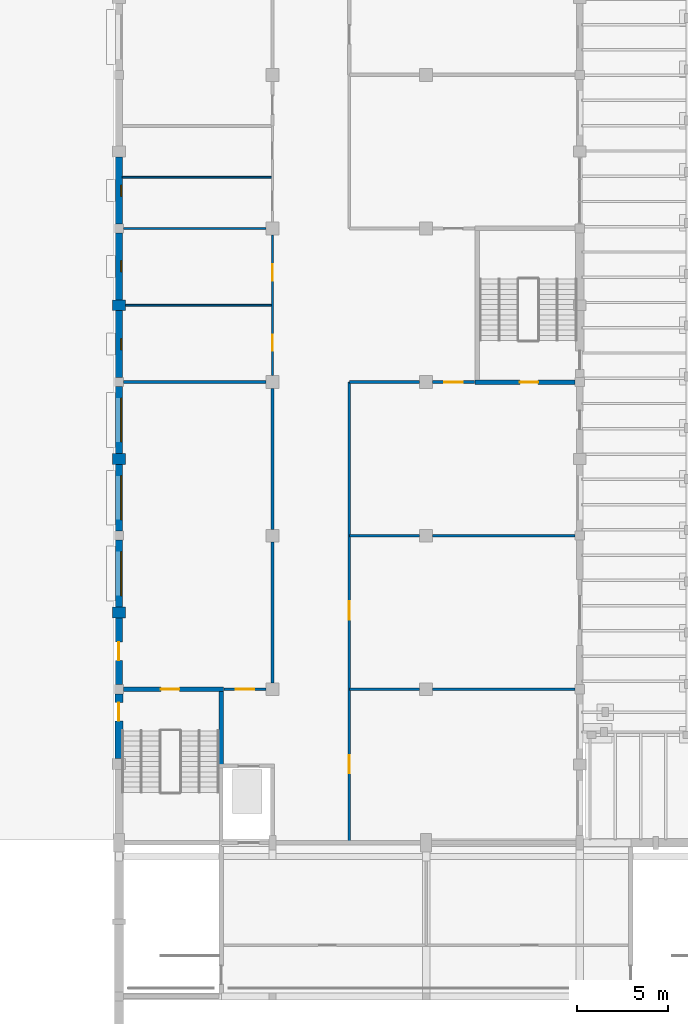
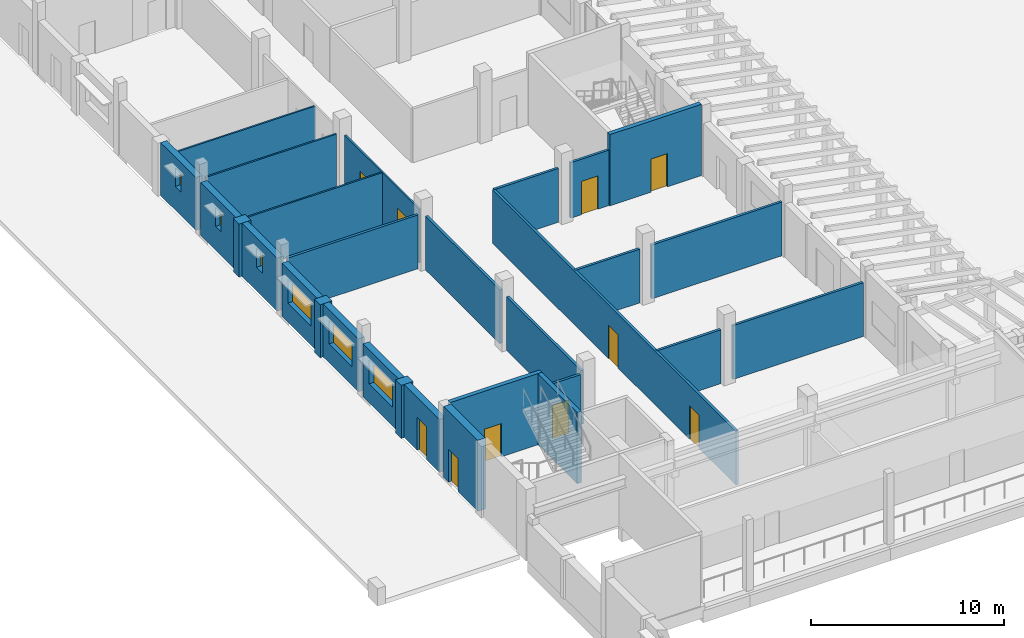
# One storey, part 40 of 60: 29 walls, 10 doors, 6 windows, 16 openings.
"""IFC4 building model written with IfcOpenShell, lengths in metres."""

from ifc_helpers import new_model, si_unit, direction, frame, frame_2d, origin, place, context, subcontext, project, spatial, rectangle, extrude, material, layer, layer_set, type_object, element, fill, save


model = new_model("IFC4")

# Units and contexts
model_context = context("Model", 3, precision=1e-05, world=origin(), true_north=direction((0.0, 1.0)))
body_context = subcontext(model_context, "Body", "Model", "MODEL_VIEW")
ifc_project = project(units=[si_unit("LENGTHUNIT", "METRE"), si_unit("AREAUNIT", "SQUARE_METRE"), si_unit("VOLUMEUNIT", "CUBIC_METRE"), si_unit("PLANEANGLEUNIT", "RADIAN"), si_unit("MASSUNIT", "GRAM", prefix="KILO")], contexts=[model_context])

# Site, building, storey
site_placement = place(None, origin())
site = spatial("IfcSite", under=ifc_project, at=site_placement, CompositionType="ELEMENT")
building_placement = place(site_placement, origin())
building = spatial("IfcBuilding", under=site, at=building_placement, Name="Fescue Hill Polytechnic", CompositionType="ELEMENT")
storey_placement = place(building_placement, frame((0.0, 0.0, 4.5)))
storey = spatial("IfcBuildingStorey", under=building, at=storey_placement, Name="L01", CompositionType="ELEMENT", Elevation=4.5)

# Wall, opening, door
ifc_material_1 = material(Name="Concrete 40 MPa", Category="concrete")
ifc_layer_1 = layer(ifc_material_1, 0.25)
ifc_layer_set_1 = layer_set([ifc_layer_1], Name="Concrete 40 MPa")
wall_type_1 = type_object("IfcWallType", Name="Core wall 250", PredefinedType="SHEAR", material=ifc_layer_set_1)
wall_1_placement = place(storey_placement, frame((0.25, 58.800048828125, 0.0), z_axis=(0.0, 0.0, 1.0), x_axis=(1.0, 0.0, 0.0)))
wall_1 = element("IfcWall", 1, at=wall_1_placement, inside=storey, type_object=wall_type_1, Name="CW-L01-ST-V4-1-21", PredefinedType="SHEAR", context=body_context, shape_type="SweptSolid", body=[
    extrude(rectangle(XDim=5.47509765625, YDim=0.25, at=frame_2d((2.737548828125, 0.0))), origin(), (0.0, 0.0, 1.0), 4.5),
])
opening_1_placement = place(wall_1_placement, frame((2.050048828125, 0.0, 0.0)))
opening_1 = element("IfcOpeningElement", 2, at=opening_1_placement, cuts=wall_1, Name="Opening D1092", PredefinedType="OPENING", context=body_context, shape_type="SweptSolid", body=[
    extrude(rectangle(XDim=1.0, YDim=2.10009765625, at=frame_2d((0.5, 1.050048828125))), frame((0.0, 0.135009765625, 0.0), z_axis=(0.0, -1.0, 0.0), x_axis=(1.0, 0.0, 0.0)), (0.0, 0.0, 1.0), 0.27001953125),
])
ifc_material_2 = material(Name="Steel fire door", Category="steel")
door_type_1 = type_object("IfcDoorType", Name="Door single swing 1000x2100 stair fire rated", OperationType="NOTDEFINED", PredefinedType="DOOR", material=ifc_material_2)
door_1_placement = place(opening_1_placement, origin())
door_1 = element("IfcDoor", 3, at=door_1_placement, inside=storey, type_object=door_type_1, Name="L01 ST-V4-1 stair door", OperationType="SINGLE_SWING_RIGHT", OverallHeight=2.10009765625, OverallWidth=1.0, PredefinedType="DOOR", context=body_context, shape_type="SweptSolid", body=[
    extrude(rectangle(XDim=1.0, YDim=2.10009765625, at=frame_2d((0.5, 1.050048828125))), frame((0.0, 0.02490234375, 0.0), z_axis=(0.0, -1.0, 0.0), x_axis=(1.0, 0.0, 0.0)), (0.0, 0.0, 1.0), 0.050048828125),
])
fill(opening_1, door_1)

# Wall
wall_2_placement = place(storey_placement, frame((5.60009765625, 54.610107421875, 0.0), z_axis=(0.0, 0.0, 1.0), x_axis=(0.0, 1.0, 0.0)))
element("IfcWall", 4, at=wall_2_placement, inside=storey, type_object=wall_type_1, Name="CW-L01-ST-V4-1-41", PredefinedType="SHEAR", context=body_context, shape_type="SweptSolid", body=[
    extrude(rectangle(XDim=4.06494140625, YDim=0.25, at=frame_2d((2.032470703125, 0.0))), origin(), (0.0, 0.0, 1.0), 4.5),
])

# Wall, opening, door
wall_3_placement = place(storey_placement, frame((19.47509765625, 75.60009765625, 0.0), z_axis=(0.0, 0.0, 1.0), x_axis=(1.0, 0.0, 0.0)))
wall_3 = element("IfcWall", 5, at=wall_3_placement, inside=storey, type_object=wall_type_1, Name="CW-L01-ST-V4-3-11", PredefinedType="SHEAR", context=body_context, shape_type="SweptSolid", body=[
    extrude(rectangle(XDim=5.474853515625, YDim=0.25, at=frame_2d((2.7373046875, 0.0))), origin(), (0.0, 0.0, 1.0), 4.5),
])
opening_2_placement = place(wall_3_placement, frame((2.449951171875, 0.0, 0.0)))
opening_2 = element("IfcOpeningElement", 6, at=opening_2_placement, cuts=wall_3, Name="Opening D1096", PredefinedType="OPENING", context=body_context, shape_type="SweptSolid", body=[
    extrude(rectangle(XDim=1.0, YDim=2.10009765625, at=frame_2d((0.5, 1.050048828125))), frame((0.0, 0.135009765625, 0.0), z_axis=(0.0, -1.0, 0.0), x_axis=(1.0, 0.0, 0.0)), (0.0, 0.0, 1.0), 0.27001953125),
])
door_2_placement = place(opening_2_placement, origin())
door_2 = element("IfcDoor", 7, at=door_2_placement, inside=storey, type_object=door_type_1, Name="L01 ST-V4-3 stair door", OperationType="SINGLE_SWING_RIGHT", OverallHeight=2.10009765625, OverallWidth=1.0, PredefinedType="DOOR", context=body_context, shape_type="SweptSolid", body=[
    extrude(rectangle(XDim=1.0, YDim=2.10009765625, at=frame_2d((0.5, 1.050048828125))), frame((0.0, 0.02490234375, 0.0), z_axis=(0.0, -1.0, 0.0), x_axis=(1.0, 0.0, 0.0)), (0.0, 0.0, 1.0), 0.050048828125),
])
fill(opening_2, door_2)

ifc_layer_2 = layer(ifc_material_1, 0.449951171875)
ifc_layer_set_2 = layer_set([ifc_layer_2], Name="Concrete 40 MPa")
wall_type_2 = type_object("IfcWallType", Name="Exterior wall board-marked concrete 450 load-bearing", PredefinedType="SOLIDWALL", material=ifc_layer_set_2)
wall_4_placement = place(storey_placement, frame((0.0, 58.550048828125, 0.0), z_axis=(0.0, 0.0, 1.0), x_axis=(0.0, -1.0, 0.0)))
wall_4 = element("IfcWall", 8, at=wall_4_placement, inside=storey, type_object=wall_type_2, Name="EW-L01-V4-28", PredefinedType="SOLIDWALL", context=body_context, shape_type="SweptSolid", body=[
    extrude(rectangle(XDim=3.525146484375, YDim=0.449951171875, at=frame_2d((1.7626953125, 0.0))), origin(), (0.0, 0.0, 1.0), 4.5),
])
opening_3_placement = place(wall_4_placement, frame((1.47509765625, 0.0, 0.0), z_axis=(0.0, 0.0, 1.0), x_axis=(-1.0, 0.0, 0.0)))
opening_3 = element("IfcOpeningElement", 9, at=opening_3_placement, cuts=wall_4, Name="Opening D1093", PredefinedType="OPENING", context=body_context, shape_type="SweptSolid", body=[
    extrude(rectangle(XDim=1.0, YDim=2.10009765625, at=frame_2d((0.5, 1.050048828125))), frame((0.0, 0.23486328125, 0.0), z_axis=(0.0, -1.0, 0.0), x_axis=(1.0, 0.0, 0.0)), (0.0, 0.0, 1.0), 0.469970703125),
])
ifc_material_3 = material(Name="Hollow metal")
door_type_2 = type_object("IfcDoorType", Name="Door exit single 1000x2100 fire rated", OperationType="SINGLE_SWING_LEFT", PredefinedType="DOOR", material=ifc_material_3)
door_3_placement = place(opening_3_placement, origin())
door_3 = element("IfcDoor", 10, at=door_3_placement, inside=storey, type_object=door_type_2, Name="Door D1093", OperationType="SINGLE_SWING_LEFT", OverallHeight=2.10009765625, OverallWidth=1.0, PredefinedType="DOOR", context=body_context, shape_type="SweptSolid", body=[
    extrude(rectangle(XDim=1.0, YDim=2.10009765625, at=frame_2d((0.5, 1.050048828125))), frame((0.0, 0.02490234375, 0.0), z_axis=(0.0, -1.0, 0.0), x_axis=(1.0, 0.0, 0.0)), (0.0, 0.0, 1.0), 0.050048828125),
])
fill(opening_3, door_3)

# Wall, opening, window
ifc_material_4 = material(Name="Terracotta rainscreen on concrete block", Category="masonry")
ifc_layer_3 = layer(ifc_material_4, 0.3798828125)
ifc_layer_set_3 = layer_set([ifc_layer_3], Name="Terracotta rainscreen on concrete block")
wall_type_3 = type_object("IfcWallType", Name="Exterior wall rainscreen terracotta on blockwork 380", PredefinedType="SOLIDWALL", material=ifc_layer_set_3)
wall_5_placement = place(storey_placement, frame((0.0, 87.89990234375, 0.0), z_axis=(0.0, 0.0, 1.0), x_axis=(0.0, -1.0, 0.0)))
wall_5 = element("IfcWall", 11, at=wall_5_placement, inside=storey, type_object=wall_type_3, Name="EW-L01-V4-21", PredefinedType="SOLIDWALL", context=body_context, shape_type="SweptSolid", body=[
    extrude(rectangle(XDim=3.64990234375, YDim=0.3798828125, at=frame_2d((1.824951171875, 0.0))), origin(), (0.0, 0.0, 1.0), 3.35009765625),
])
opening_4_placement = place(wall_5_placement, frame((1.52490234375, 0.0, 1.5)))
opening_4 = element("IfcOpeningElement", 12, at=opening_4_placement, cuts=wall_5, Name="Opening W11", PredefinedType="OPENING", context=body_context, shape_type="SweptSolid", body=[
    extrude(rectangle(XDim=0.60009765625, YDim=1.199951171875, at=frame_2d((0.300048828125, 0.60009765625))), frame((0.0, 0.199951171875, 0.0), z_axis=(0.0, -1.0, 0.0), x_axis=(1.0, 0.0, 0.0)), (0.0, 0.0, 1.0), 0.39990234375),
])
ifc_material_5 = material(Name="Powder-coated aluminium and glass", Category="aluminium")
window_type_1 = type_object("IfcWindowType", Name="Window WC high-level 600x1200", PartitioningType="SINGLE_PANEL", PredefinedType="WINDOW", material=ifc_material_5)
window_1_placement = place(opening_4_placement, origin())
window_1 = element("IfcWindow", 13, at=window_1_placement, inside=storey, type_object=window_type_1, Name="WN-L01-V4-10", OverallHeight=1.199951171875, OverallWidth=0.60009765625, PartitioningType="SINGLE_PANEL", PredefinedType="WINDOW", context=body_context, shape_type="SweptSolid", body=[
    extrude(rectangle(XDim=0.60009765625, YDim=1.199951171875, at=frame_2d((0.300048828125, 0.60009765625))), frame((0.0, 0.150146484375, 0.0), z_axis=(0.0, -1.0, 0.0), x_axis=(1.0, 0.0, 0.0)), (0.0, 0.0, 1.0), 0.06005859375),
])
fill(opening_4, window_1)

wall_6_placement = place(storey_placement, frame((0.0, 83.75, 0.0), z_axis=(0.0, 0.0, 1.0), x_axis=(0.0, -1.0, 0.0)))
wall_6 = element("IfcWall", 14, at=wall_6_placement, inside=storey, type_object=wall_type_3, Name="EW-L01-V4-22", PredefinedType="SOLIDWALL", context=body_context, shape_type="SweptSolid", body=[
    extrude(rectangle(XDim=3.64990234375, YDim=0.3798828125, at=frame_2d((1.824951171875, 0.0))), origin(), (0.0, 0.0, 1.0), 3.35009765625),
])
opening_5_placement = place(wall_6_placement, frame((1.52490234375, 0.0, 1.5)))
opening_5 = element("IfcOpeningElement", 15, at=opening_5_placement, cuts=wall_6, Name="Opening W11", PredefinedType="OPENING", context=body_context, shape_type="SweptSolid", body=[
    extrude(rectangle(XDim=0.60009765625, YDim=1.199951171875, at=frame_2d((0.300048828125, 0.60009765625))), frame((0.0, 0.199951171875, 0.0), z_axis=(0.0, -1.0, 0.0), x_axis=(1.0, 0.0, 0.0)), (0.0, 0.0, 1.0), 0.39990234375),
])
window_2_placement = place(opening_5_placement, origin())
window_2 = element("IfcWindow", 16, at=window_2_placement, inside=storey, type_object=window_type_1, Name="WN-L01-V4-11", OverallHeight=1.199951171875, OverallWidth=0.60009765625, PartitioningType="SINGLE_PANEL", PredefinedType="WINDOW", context=body_context, shape_type="SweptSolid", body=[
    extrude(rectangle(XDim=0.60009765625, YDim=1.199951171875, at=frame_2d((0.300048828125, 0.60009765625))), frame((0.0, 0.150146484375, 0.0), z_axis=(0.0, -1.0, 0.0), x_axis=(1.0, 0.0, 0.0)), (0.0, 0.0, 1.0), 0.06005859375),
])
fill(opening_5, window_2)

wall_7_placement = place(storey_placement, frame((0.0, 79.5, 0.0), z_axis=(0.0, 0.0, 1.0), x_axis=(0.0, -1.0, 0.0)))
wall_7 = element("IfcWall", 17, at=wall_7_placement, inside=storey, type_object=wall_type_3, Name="EW-L01-V4-23", PredefinedType="SOLIDWALL", context=body_context, shape_type="SweptSolid", body=[
    extrude(rectangle(XDim=3.64990234375, YDim=0.3798828125, at=frame_2d((1.824951171875, 0.0))), origin(), (0.0, 0.0, 1.0), 3.35009765625),
])
opening_6_placement = place(wall_7_placement, frame((1.52490234375, 0.0, 1.5)))
opening_6 = element("IfcOpeningElement", 18, at=opening_6_placement, cuts=wall_7, Name="Opening W11", PredefinedType="OPENING", context=body_context, shape_type="SweptSolid", body=[
    extrude(rectangle(XDim=0.60009765625, YDim=1.199951171875, at=frame_2d((0.300048828125, 0.60009765625))), frame((0.0, 0.199951171875, 0.0), z_axis=(0.0, -1.0, 0.0), x_axis=(1.0, 0.0, 0.0)), (0.0, 0.0, 1.0), 0.39990234375),
])
window_3_placement = place(opening_6_placement, origin())
window_3 = element("IfcWindow", 19, at=window_3_placement, inside=storey, type_object=window_type_1, Name="WN-L01-V4-12", OverallHeight=1.199951171875, OverallWidth=0.60009765625, PartitioningType="SINGLE_PANEL", PredefinedType="WINDOW", context=body_context, shape_type="SweptSolid", body=[
    extrude(rectangle(XDim=0.60009765625, YDim=1.199951171875, at=frame_2d((0.300048828125, 0.60009765625))), frame((0.0, 0.150146484375, 0.0), z_axis=(0.0, -1.0, 0.0), x_axis=(1.0, 0.0, 0.0)), (0.0, 0.0, 1.0), 0.06005859375),
])
fill(opening_6, window_3)

wall_8_placement = place(storey_placement, frame((0.0, 75.35009765625, 0.0), z_axis=(0.0, 0.0, 1.0), x_axis=(0.0, -1.0, 0.0)))
wall_8 = element("IfcWall", 20, at=wall_8_placement, inside=storey, type_object=wall_type_3, Name="EW-L01-V4-24", PredefinedType="SOLIDWALL", context=body_context, shape_type="SweptSolid", body=[
    extrude(rectangle(XDim=3.650146484375, YDim=0.3798828125, at=frame_2d((1.8251953125, 0.0))), origin(), (0.0, 0.0, 1.0), 3.35009765625),
])
opening_7_placement = place(wall_8_placement, frame((0.625, 0.0, 1.199951171875)))
opening_7 = element("IfcOpeningElement", 21, at=opening_7_placement, cuts=wall_8, Name="Opening W3", PredefinedType="OPENING", context=body_context, shape_type="SweptSolid", body=[
    extrude(rectangle(XDim=2.39990234375, YDim=1.5, at=frame_2d((1.199951171875, 0.75))), frame((0.0, 0.199951171875, 0.0), z_axis=(0.0, -1.0, 0.0), x_axis=(1.0, 0.0, 0.0)), (0.0, 0.0, 1.0), 0.39990234375),
])
window_type_2 = type_object("IfcWindowType", Name="Window laboratory strip 2400x1500", PartitioningType="TRIPLE_PANEL_VERTICAL", PredefinedType="WINDOW", material=ifc_material_5)
window_4_placement = place(opening_7_placement, origin())
window_4 = element("IfcWindow", 22, at=window_4_placement, inside=storey, type_object=window_type_2, Name="WN-L01-V4-13", OverallHeight=1.5, OverallWidth=2.39990234375, PartitioningType="SINGLE_PANEL", PredefinedType="WINDOW", context=body_context, shape_type="SweptSolid", body=[
    extrude(rectangle(XDim=2.39990234375, YDim=1.5, at=frame_2d((1.199951171875, 0.75))), frame((0.0, 0.150146484375, 0.0), z_axis=(0.0, -1.0, 0.0), x_axis=(1.0, 0.0, 0.0)), (0.0, 0.0, 1.0), 0.06005859375),
])
fill(opening_7, window_4)

wall_9_placement = place(storey_placement, frame((0.0, 71.10009765625, 0.0), z_axis=(0.0, 0.0, 1.0), x_axis=(0.0, -1.0, 0.0)))
wall_9 = element("IfcWall", 23, at=wall_9_placement, inside=storey, type_object=wall_type_3, Name="EW-L01-V4-25", PredefinedType="SOLIDWALL", context=body_context, shape_type="SweptSolid", body=[
    extrude(rectangle(XDim=3.650146484375, YDim=0.3798828125, at=frame_2d((1.8251953125, 0.0))), origin(), (0.0, 0.0, 1.0), 3.35009765625),
])
opening_8_placement = place(wall_9_placement, frame((0.625, 0.0, 1.199951171875)))
opening_8 = element("IfcOpeningElement", 24, at=opening_8_placement, cuts=wall_9, Name="Opening W3", PredefinedType="OPENING", context=body_context, shape_type="SweptSolid", body=[
    extrude(rectangle(XDim=2.39990234375, YDim=1.5, at=frame_2d((1.199951171875, 0.75))), frame((0.0, 0.199951171875, 0.0), z_axis=(0.0, -1.0, 0.0), x_axis=(1.0, 0.0, 0.0)), (0.0, 0.0, 1.0), 0.39990234375),
])
window_5_placement = place(opening_8_placement, origin())
window_5 = element("IfcWindow", 25, at=window_5_placement, inside=storey, type_object=window_type_2, Name="WN-L01-V4-14", OverallHeight=1.5, OverallWidth=2.39990234375, PartitioningType="SINGLE_PANEL", PredefinedType="WINDOW", context=body_context, shape_type="SweptSolid", body=[
    extrude(rectangle(XDim=2.39990234375, YDim=1.5, at=frame_2d((1.199951171875, 0.75))), frame((0.0, 0.150146484375, 0.0), z_axis=(0.0, -1.0, 0.0), x_axis=(1.0, 0.0, 0.0)), (0.0, 0.0, 1.0), 0.06005859375),
])
fill(opening_8, window_5)

wall_10_placement = place(storey_placement, frame((0.0, 66.949951171875, 0.0), z_axis=(0.0, 0.0, 1.0), x_axis=(0.0, -1.0, 0.0)))
wall_10 = element("IfcWall", 26, at=wall_10_placement, inside=storey, type_object=wall_type_3, Name="EW-L01-V4-26", PredefinedType="SOLIDWALL", context=body_context, shape_type="SweptSolid", body=[
    extrude(rectangle(XDim=3.64990234375, YDim=0.3798828125, at=frame_2d((1.824951171875, 0.0))), origin(), (0.0, 0.0, 1.0), 3.35009765625),
])
opening_9_placement = place(wall_10_placement, frame((0.625, 0.0, 1.199951171875)))
opening_9 = element("IfcOpeningElement", 27, at=opening_9_placement, cuts=wall_10, Name="Opening W3", PredefinedType="OPENING", context=body_context, shape_type="SweptSolid", body=[
    extrude(rectangle(XDim=2.39990234375, YDim=1.5, at=frame_2d((1.199951171875, 0.75))), frame((0.0, 0.199951171875, 0.0), z_axis=(0.0, -1.0, 0.0), x_axis=(1.0, 0.0, 0.0)), (0.0, 0.0, 1.0), 0.39990234375),
])
window_6_placement = place(opening_9_placement, origin())
window_6 = element("IfcWindow", 28, at=window_6_placement, inside=storey, type_object=window_type_2, Name="WN-L01-V4-15", OverallHeight=1.5, OverallWidth=2.39990234375, PartitioningType="SINGLE_PANEL", PredefinedType="WINDOW", context=body_context, shape_type="SweptSolid", body=[
    extrude(rectangle(XDim=2.39990234375, YDim=1.5, at=frame_2d((1.199951171875, 0.75))), frame((0.0, 0.150146484375, 0.0), z_axis=(0.0, -1.0, 0.0), x_axis=(1.0, 0.0, 0.0)), (0.0, 0.0, 1.0), 0.06005859375),
])
fill(opening_9, window_6)

# Wall, opening, door
wall_11_placement = place(storey_placement, frame((0.0, 62.699951171875, 0.0), z_axis=(0.0, 0.0, 1.0), x_axis=(0.0, -1.0, 0.0)))
wall_11 = element("IfcWall", 29, at=wall_11_placement, inside=storey, type_object=wall_type_3, Name="EW-L01-V4-27", PredefinedType="SOLIDWALL", context=body_context, shape_type="SweptSolid", body=[
    extrude(rectangle(XDim=3.64990234375, YDim=0.3798828125, at=frame_2d((1.824951171875, 0.0))), origin(), (0.0, 0.0, 1.0), 3.35009765625),
])
opening_10_placement = place(wall_11_placement, frame((1.324951171875, 0.0, 0.0)))
opening_10 = element("IfcOpeningElement", 30, at=opening_10_placement, cuts=wall_11, Name="Opening D1009", PredefinedType="OPENING", context=body_context, shape_type="SweptSolid", body=[
    extrude(rectangle(XDim=1.0, YDim=2.10009765625, at=frame_2d((0.5, 1.050048828125))), frame((0.0, 0.199951171875, 0.0), z_axis=(0.0, -1.0, 0.0), x_axis=(1.0, 0.0, 0.0)), (0.0, 0.0, 1.0), 0.39990234375),
])
door_4_placement = place(opening_10_placement, origin())
door_4 = element("IfcDoor", 31, at=door_4_placement, inside=storey, type_object=door_type_2, Name="Door D1009", OperationType="SINGLE_SWING_LEFT", OverallHeight=2.10009765625, OverallWidth=1.0, PredefinedType="DOOR", context=body_context, shape_type="SweptSolid", body=[
    extrude(rectangle(XDim=1.0, YDim=2.10009765625, at=frame_2d((0.5, 1.050048828125))), frame((0.0, 0.02490234375, 0.0), z_axis=(0.0, -1.0, 0.0), x_axis=(1.0, 0.0, 0.0)), (0.0, 0.0, 1.0), 0.050048828125),
])
fill(opening_10, door_4)

# Walls
ifc_layer_4 = layer(ifc_material_1, 0.699951171875)
ifc_layer_set_4 = layer_set([ifc_layer_4], Name="Concrete 40 MPa")
wall_type_4 = type_object("IfcWallType", Name="Fin wall board-marked 600x700", PredefinedType="SOLIDWALL", material=ifc_layer_set_4)
wall_12_placement = place(storey_placement, frame((0.0, 80.10009765625, 0.0), z_axis=(0.0, 0.0, 1.0), x_axis=(0.0, -1.0, 0.0)))
element("IfcWall", 32, at=wall_12_placement, inside=storey, type_object=wall_type_4, Name="PR-L01-V4-10", PredefinedType="SOLIDWALL", context=body_context, shape_type="SweptSolid", body=[
    extrude(rectangle(XDim=0.60009765625, YDim=0.699951171875, at=frame_2d((0.300048828125, 0.0))), origin(), (0.0, 0.0, 1.0), 3.35009765625),
])
wall_13_placement = place(storey_placement, frame((0.0, 71.699951171875, 0.0), z_axis=(0.0, 0.0, 1.0), x_axis=(0.0, -1.0, 0.0)))
element("IfcWall", 33, at=wall_13_placement, inside=storey, type_object=wall_type_4, Name="PR-L01-V4-11", PredefinedType="SOLIDWALL", context=body_context, shape_type="SweptSolid", body=[
    extrude(rectangle(XDim=0.599853515625, YDim=0.699951171875, at=frame_2d((0.2998046875, 0.0))), origin(), (0.0, 0.0, 1.0), 3.35009765625),
])
wall_14_placement = place(storey_placement, frame((0.0, 63.300048828125, 0.0), z_axis=(0.0, 0.0, 1.0), x_axis=(0.0, -1.0, 0.0)))
element("IfcWall", 34, at=wall_14_placement, inside=storey, type_object=wall_type_4, Name="PR-L01-V4-12", PredefinedType="SOLIDWALL", context=body_context, shape_type="SweptSolid", body=[
    extrude(rectangle(XDim=0.60009765625, YDim=0.699951171875, at=frame_2d((0.300048828125, 0.0))), origin(), (0.0, 0.0, 1.0), 3.35009765625),
])
ifc_material_6 = material(Name="Concrete masonry block 15 MPa", Category="masonry")
ifc_layer_5 = layer(ifc_material_6, 0.14990234375)
ifc_layer_set_5 = layer_set([ifc_layer_5], Name="Concrete masonry block 15 MPa")
wall_type_5 = type_object("IfcWallType", Name="Laboratory wall 150 block EI 60", PredefinedType="PARTITIONING", material=ifc_layer_set_5)
wall_15_placement = place(storey_placement, frame((12.60009765625, 58.800048828125, 0.0), z_axis=(0.0, 0.0, 1.0), x_axis=(1.0, 0.0, 0.0)))
element("IfcWall", 35, at=wall_15_placement, inside=storey, type_object=wall_type_5, Name="IW-L01-039", PredefinedType="PARTITIONING", context=body_context, shape_type="SweptSolid", body=[
    extrude(rectangle(XDim=3.849853515625, YDim=0.14990234375, at=frame_2d((1.9248046875, 0.0))), origin(), (0.0, 0.0, 1.0), 3.39990234375),
])
wall_16_placement = place(storey_placement, frame((17.14990234375, 58.800048828125, 0.0), z_axis=(0.0, 0.0, 1.0), x_axis=(1.0, 0.0, 0.0)))
element("IfcWall", 36, at=wall_16_placement, inside=storey, type_object=wall_type_5, Name="IW-L01-040", PredefinedType="PARTITIONING", context=body_context, shape_type="SweptSolid", body=[
    extrude(rectangle(XDim=7.800048828125, YDim=0.14990234375, at=frame_2d((3.89990234375, 0.0))), origin(), (0.0, 0.0, 1.0), 3.39990234375),
])
wall_17_placement = place(storey_placement, frame((12.60009765625, 67.199951171875, 0.0), z_axis=(0.0, 0.0, 1.0), x_axis=(1.0, 0.0, 0.0)))
element("IfcWall", 37, at=wall_17_placement, inside=storey, type_object=wall_type_5, Name="IW-L01-042", PredefinedType="PARTITIONING", context=body_context, shape_type="SweptSolid", body=[
    extrude(rectangle(XDim=3.849853515625, YDim=0.14990234375, at=frame_2d((1.9248046875, 0.0))), origin(), (0.0, 0.0, 1.0), 3.39990234375),
])
for number, where, z_axis, x_axis, name in (
    (38, (17.14990234375, 67.199951171875, 0.0), (0.0, 0.0, 1.0), (1.0, 0.0, 0.0), "IW-L01-043"),
    (39, (0.25, 75.60009765625, 0.0), (0.0, 0.0, 1.0), (1.0, 0.0, 0.0), "IW-L01-044"),
):
    element("IfcWall", number, at=place(storey_placement, frame(where, z_axis=z_axis, x_axis=x_axis)), inside=storey, type_object=wall_type_5, Name=name, PredefinedType="PARTITIONING", context=body_context, shape_type="SweptSolid", body=[
        extrude(rectangle(XDim=7.800048828125, YDim=0.14990234375, at=frame_2d((3.89990234375, 0.0))), origin(), (0.0, 0.0, 1.0), 3.39990234375),
    ])
wall_18_placement = place(storey_placement, frame((8.39990234375, 59.14990234375, 0.0), z_axis=(0.0, 0.0, 1.0), x_axis=(0.0, 1.0, 0.0)))
element("IfcWall", 40, at=wall_18_placement, inside=storey, type_object=wall_type_5, Name="IW-L01-065", PredefinedType="PARTITIONING", context=body_context, shape_type="SweptSolid", body=[
    extrude(rectangle(XDim=7.7001953125, YDim=0.14990234375, at=frame_2d((3.85009765625, 0.0))), origin(), (0.0, 0.0, 1.0), 3.39990234375),
])
wall_19_placement = place(storey_placement, frame((8.39990234375, 67.550048828125, 0.0), z_axis=(0.0, 0.0, 1.0), x_axis=(0.0, 1.0, 0.0)))
element("IfcWall", 41, at=wall_19_placement, inside=storey, type_object=wall_type_5, Name="IW-L01-066", PredefinedType="PARTITIONING", context=body_context, shape_type="SweptSolid", body=[
    extrude(rectangle(XDim=7.699951171875, YDim=0.14990234375, at=frame_2d((3.85009765625, 0.0))), origin(), (0.0, 0.0, 1.0), 3.39990234375),
])

# Wall, openings, doors
wall_20_placement = place(storey_placement, frame((12.60009765625, 50.39990234375, 0.0), z_axis=(0.0, 0.0, 1.0), x_axis=(0.0, 1.0, 0.0)))
wall_20 = element("IfcWall", 42, at=wall_20_placement, inside=storey, type_object=wall_type_5, Name="IW-L01-071", PredefinedType="PARTITIONING", context=body_context, shape_type="SweptSolid", body=[
    extrude(rectangle(XDim=25.2001953125, YDim=0.14990234375, at=frame_2d((12.60009765625, 0.0))), origin(), (0.0, 0.0, 1.0), 3.39990234375),
])
opening_11_placement = place(wall_20_placement, frame((3.800048828125, 0.0, 0.0)))
opening_11 = element("IfcOpeningElement", 43, at=opening_11_placement, cuts=wall_20, Name="Opening D1063", PredefinedType="OPENING", context=body_context, shape_type="SweptSolid", body=[
    extrude(rectangle(XDim=1.0, YDim=2.10009765625, at=frame_2d((0.5, 1.050048828125))), frame((0.0, 0.0849609375, 0.0), z_axis=(0.0, -1.0, 0.0), x_axis=(1.0, 0.0, 0.0)), (0.0, 0.0, 1.0), 0.169921875),
])
opening_12_placement = place(wall_20_placement, frame((12.199951171875, 0.0, 0.0)))
opening_12 = element("IfcOpeningElement", 44, at=opening_12_placement, cuts=wall_20, Name="Opening D1064", PredefinedType="OPENING", context=body_context, shape_type="SweptSolid", body=[
    extrude(rectangle(XDim=1.0, YDim=2.10009765625, at=frame_2d((0.5, 1.050048828125))), frame((0.0, 0.0849609375, 0.0), z_axis=(0.0, -1.0, 0.0), x_axis=(1.0, 0.0, 0.0)), (0.0, 0.0, 1.0), 0.169921875),
])
ifc_material_7 = material(Name="Steel", Category="steel")
door_type_3 = type_object("IfcDoorType", Name="Door single swing 1000x2100 FD60", OperationType="SINGLE_SWING_LEFT", PredefinedType="DOOR", material=ifc_material_7)
door_5_placement = place(opening_11_placement, origin())
door_5 = element("IfcDoor", 45, at=door_5_placement, inside=storey, type_object=door_type_3, Name="Door D1063", OperationType="SINGLE_SWING_LEFT", OverallHeight=2.10009765625, OverallWidth=1.0, PredefinedType="DOOR", context=body_context, shape_type="SweptSolid", body=[
    extrude(rectangle(XDim=1.0, YDim=2.10009765625, at=frame_2d((0.5, 1.050048828125))), frame((0.0, 0.02490234375, 0.0), z_axis=(0.0, -1.0, 0.0), x_axis=(1.0, 0.0, 0.0)), (0.0, 0.0, 1.0), 0.050048828125),
])
fill(opening_11, door_5)
door_6_placement = place(opening_12_placement, origin())
door_6 = element("IfcDoor", 46, at=door_6_placement, inside=storey, type_object=door_type_3, Name="Door D1064", OperationType="SINGLE_SWING_RIGHT", OverallHeight=2.10009765625, OverallWidth=1.0, PredefinedType="DOOR", context=body_context, shape_type="SweptSolid", body=[
    extrude(rectangle(XDim=1.0, YDim=2.10009765625, at=frame_2d((0.5, 1.050048828125))), frame((0.0, 0.02490234375, 0.0), z_axis=(0.0, -1.0, 0.0), x_axis=(1.0, 0.0, 0.0)), (0.0, 0.0, 1.0), 0.050048828125),
])
fill(opening_12, door_6)

# Wall, opening, door
ifc_material_8 = material(Name="Gypsum board partition")
ifc_layer_6 = layer(ifc_material_8, 0.14990234375)
ifc_layer_set_6 = layer_set([ifc_layer_6], Name="Gypsum board partition")
wall_type_6 = type_object("IfcWallType", Name="Lobby wall 150 EI 60", PredefinedType="PARTITIONING", material=ifc_layer_set_6)
wall_21_placement = place(storey_placement, frame((5.75, 58.800048828125, 0.0), z_axis=(0.0, 0.0, 1.0), x_axis=(1.0, 0.0, 0.0)))
wall_21 = element("IfcWall", 47, at=wall_21_placement, inside=storey, type_object=wall_type_6, Name="IW-L01-041", PredefinedType="PARTITIONING", context=body_context, shape_type="SweptSolid", body=[
    extrude(rectangle(XDim=2.300048828125, YDim=0.14990234375, at=frame_2d((1.14990234375, 0.0))), origin(), (0.0, 0.0, 1.0), 3.5),
])
opening_13_placement = place(wall_21_placement, frame((0.64990234375, 0.0, 0.0)))
opening_13 = element("IfcOpeningElement", 48, at=opening_13_placement, cuts=wall_21, Name="Opening D1057", PredefinedType="OPENING", context=body_context, shape_type="SweptSolid", body=[
    extrude(rectangle(XDim=1.0, YDim=2.10009765625, at=frame_2d((0.5, 1.050048828125))), frame((0.0, 0.0849609375, 0.0), z_axis=(0.0, -1.0, 0.0), x_axis=(1.0, 0.0, 0.0)), (0.0, 0.0, 1.0), 0.169921875),
])
door_7_placement = place(opening_13_placement, origin())
door_7 = element("IfcDoor", 49, at=door_7_placement, inside=storey, type_object=door_type_3, Name="Door D1057", OperationType="SINGLE_SWING_LEFT", OverallHeight=2.10009765625, OverallWidth=1.0, PredefinedType="DOOR", context=body_context, shape_type="SweptSolid", body=[
    extrude(rectangle(XDim=1.0, YDim=2.10009765625, at=frame_2d((0.5, 1.050048828125))), frame((0.0, 0.02490234375, 0.0), z_axis=(0.0, -1.0, 0.0), x_axis=(1.0, 0.0, 0.0)), (0.0, 0.0, 1.0), 0.050048828125),
])
fill(opening_13, door_7)

# Wall
wall_22_placement = place(storey_placement, frame((12.60009765625, 75.60009765625, 0.0), z_axis=(0.0, 0.0, 1.0), x_axis=(1.0, 0.0, 0.0)))
element("IfcWall", 50, at=wall_22_placement, inside=storey, type_object=wall_type_6, Name="IW-L01-045", PredefinedType="PARTITIONING", context=body_context, shape_type="SweptSolid", body=[
    extrude(rectangle(XDim=3.849853515625, YDim=0.14990234375, at=frame_2d((1.9248046875, 0.0))), origin(), (0.0, 0.0, 1.0), 3.39990234375),
])

# Wall, opening, door
wall_23_placement = place(storey_placement, frame((17.14990234375, 75.60009765625, 0.0), z_axis=(0.0, 0.0, 1.0), x_axis=(1.0, 0.0, 0.0)))
wall_23 = element("IfcWall", 51, at=wall_23_placement, inside=storey, type_object=wall_type_6, Name="IW-L01-046", PredefinedType="PARTITIONING", context=body_context, shape_type="SweptSolid", body=[
    extrude(rectangle(XDim=2.300048828125, YDim=0.14990234375, at=frame_2d((1.14990234375, 0.0))), origin(), (0.0, 0.0, 1.0), 3.5),
])
opening_14_placement = place(wall_23_placement, frame((0.64990234375, 0.0, 0.0)))
opening_14 = element("IfcOpeningElement", 52, at=opening_14_placement, cuts=wall_23, Name="Opening D1065", PredefinedType="OPENING", context=body_context, shape_type="SweptSolid", body=[
    extrude(rectangle(XDim=1.0, YDim=2.10009765625, at=frame_2d((0.5, 1.050048828125))), frame((0.0, 0.0849609375, 0.0), z_axis=(0.0, -1.0, 0.0), x_axis=(1.0, 0.0, 0.0)), (0.0, 0.0, 1.0), 0.169921875),
])
door_8_placement = place(opening_14_placement, origin())
door_8 = element("IfcDoor", 53, at=door_8_placement, inside=storey, type_object=door_type_3, Name="Door D1065", OperationType="SINGLE_SWING_LEFT", OverallHeight=2.10009765625, OverallWidth=1.0, PredefinedType="DOOR", context=body_context, shape_type="SweptSolid", body=[
    extrude(rectangle(XDim=1.0, YDim=2.10009765625, at=frame_2d((0.5, 1.050048828125))), frame((0.0, 0.02490234375, 0.0), z_axis=(0.0, -1.0, 0.0), x_axis=(1.0, 0.0, 0.0)), (0.0, 0.0, 1.0), 0.050048828125),
])
fill(opening_14, door_8)

# Walls
ifc_layer_7 = layer(ifc_material_8, 0.10009765625)
ifc_layer_set_7 = layer_set([ifc_layer_7], Name="Gypsum board partition")
wall_type_7 = type_object("IfcWallType", Name="WC partition 100 moisture resistant", PredefinedType="PARTITIONING", material=ifc_layer_set_7)
wall_24_placement = place(storey_placement, frame((0.35009765625, 79.800048828125, 0.0), z_axis=(0.0, 0.0, 1.0), x_axis=(1.0, 0.0, 0.0)))
element("IfcWall", 54, at=wall_24_placement, inside=storey, type_object=wall_type_7, Name="IW-L01-050", PredefinedType="PARTITIONING", context=body_context, shape_type="SweptSolid", body=[
    extrude(rectangle(XDim=8.0498046875, YDim=0.10009765625, at=frame_2d((4.02490234375, 0.0))), origin(), (0.0, 0.0, 1.0), 3.39990234375),
])
wall_25_placement = place(storey_placement, frame((0.25, 84.0, 0.0), z_axis=(0.0, 0.0, 1.0), x_axis=(1.0, 0.0, 0.0)))
element("IfcWall", 55, at=wall_25_placement, inside=storey, type_object=wall_type_7, Name="IW-L01-053", PredefinedType="PARTITIONING", context=body_context, shape_type="SweptSolid", body=[
    extrude(rectangle(XDim=7.800048828125, YDim=0.10009765625, at=frame_2d((3.89990234375, 0.0))), origin(), (0.0, 0.0, 1.0), 3.39990234375),
])
wall_26_placement = place(storey_placement, frame((0.18994140625, 86.800048828125, 0.0), z_axis=(0.0, 0.0, 1.0), x_axis=(1.0, 0.0, 0.0)))
element("IfcWall", 56, at=wall_26_placement, inside=storey, type_object=wall_type_7, Name="IW-L01-054", PredefinedType="PARTITIONING", context=body_context, shape_type="SweptSolid", body=[
    extrude(rectangle(XDim=8.2099609375, YDim=0.10009765625, at=frame_2d((4.10498046875, 0.0))), origin(), (0.0, 0.0, 1.0), 3.35009765625),
])

# Wall, openings, doors
wall_27_placement = place(storey_placement, frame((8.39990234375, 75.949951171875, 0.0), z_axis=(0.0, 0.0, 1.0), x_axis=(0.0, 1.0, 0.0)))
wall_27 = element("IfcWall", 57, at=wall_27_placement, inside=storey, type_object=wall_type_7, Name="IW-L01-069", PredefinedType="PARTITIONING", context=body_context, shape_type="SweptSolid", body=[
    extrude(rectangle(XDim=7.699951171875, YDim=0.10009765625, at=frame_2d((3.85009765625, 0.0))), origin(), (0.0, 0.0, 1.0), 3.39990234375),
])
opening_15_placement = place(wall_27_placement, frame((1.35009765625, 0.0, 0.0)))
opening_15 = element("IfcOpeningElement", 58, at=opening_15_placement, cuts=wall_27, Name="Opening D1058", PredefinedType="OPENING", context=body_context, shape_type="SweptSolid", body=[
    extrude(rectangle(XDim=0.89990234375, YDim=2.10009765625, at=frame_2d((0.449951171875, 1.050048828125))), frame((0.0, 0.06005859375, 0.0), z_axis=(0.0, -1.0, 0.0), x_axis=(1.0, 0.0, 0.0)), (0.0, 0.0, 1.0), 0.1201171875),
])
opening_16_placement = place(wall_27_placement, frame((5.199951171875, 0.0, 0.0)))
opening_16 = element("IfcOpeningElement", 59, at=opening_16_placement, cuts=wall_27, Name="Opening D1059", PredefinedType="OPENING", context=body_context, shape_type="SweptSolid", body=[
    extrude(rectangle(XDim=0.89990234375, YDim=2.10009765625, at=frame_2d((0.449951171875, 1.050048828125))), frame((0.0, 0.06005859375, 0.0), z_axis=(0.0, -1.0, 0.0), x_axis=(1.0, 0.0, 0.0)), (0.0, 0.0, 1.0), 0.1201171875),
])
ifc_material_9 = material(Name="Timber", Category="wood")
door_type_4 = type_object("IfcDoorType", Name="Door single swing 900x2100 WC", OperationType="SINGLE_SWING_LEFT", PredefinedType="DOOR", material=ifc_material_9)
door_9_placement = place(opening_15_placement, origin())
door_9 = element("IfcDoor", 60, at=door_9_placement, inside=storey, type_object=door_type_4, Name="Door D1058", OperationType="SINGLE_SWING_LEFT", OverallHeight=2.10009765625, OverallWidth=0.89990234375, PredefinedType="DOOR", context=body_context, shape_type="SweptSolid", body=[
    extrude(rectangle(XDim=0.89990234375, YDim=2.10009765625, at=frame_2d((0.449951171875, 1.050048828125))), frame((0.0, 0.02490234375, 0.0), z_axis=(0.0, -1.0, 0.0), x_axis=(1.0, 0.0, 0.0)), (0.0, 0.0, 1.0), 0.050048828125),
])
fill(opening_15, door_9)
door_10_placement = place(opening_16_placement, origin())
door_10 = element("IfcDoor", 61, at=door_10_placement, inside=storey, type_object=door_type_4, Name="Door D1059", OperationType="SINGLE_SWING_RIGHT", OverallHeight=2.10009765625, OverallWidth=0.89990234375, PredefinedType="DOOR", context=body_context, shape_type="SweptSolid", body=[
    extrude(rectangle(XDim=0.89990234375, YDim=2.10009765625, at=frame_2d((0.449951171875, 1.050048828125))), frame((0.0, 0.02490234375, 0.0), z_axis=(0.0, -1.0, 0.0), x_axis=(1.0, 0.0, 0.0)), (0.0, 0.0, 1.0), 0.050048828125),
])
fill(opening_16, door_10)

save(model, "model.ifc")
